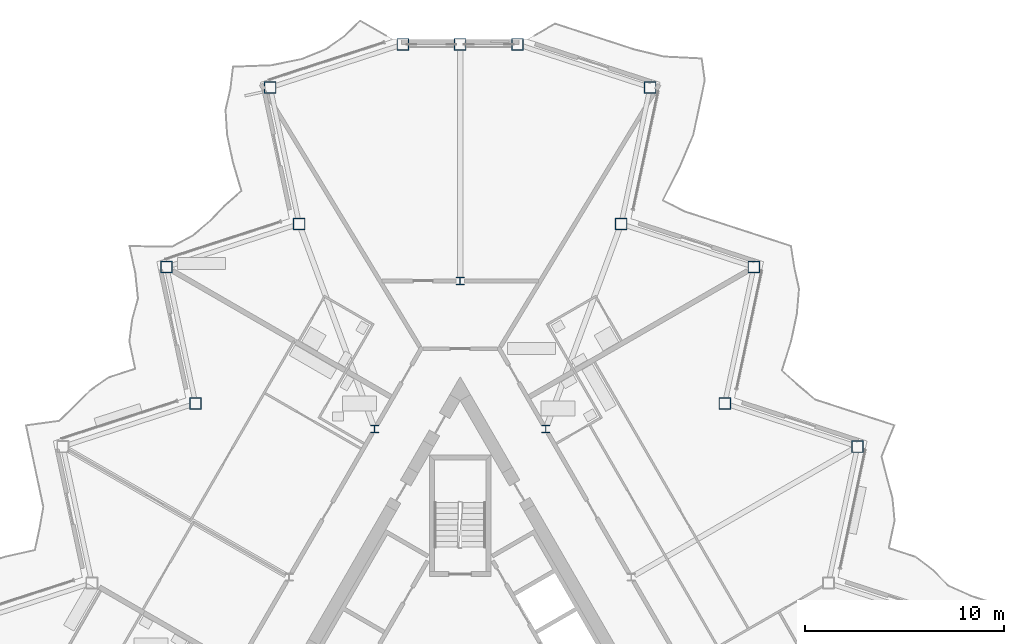
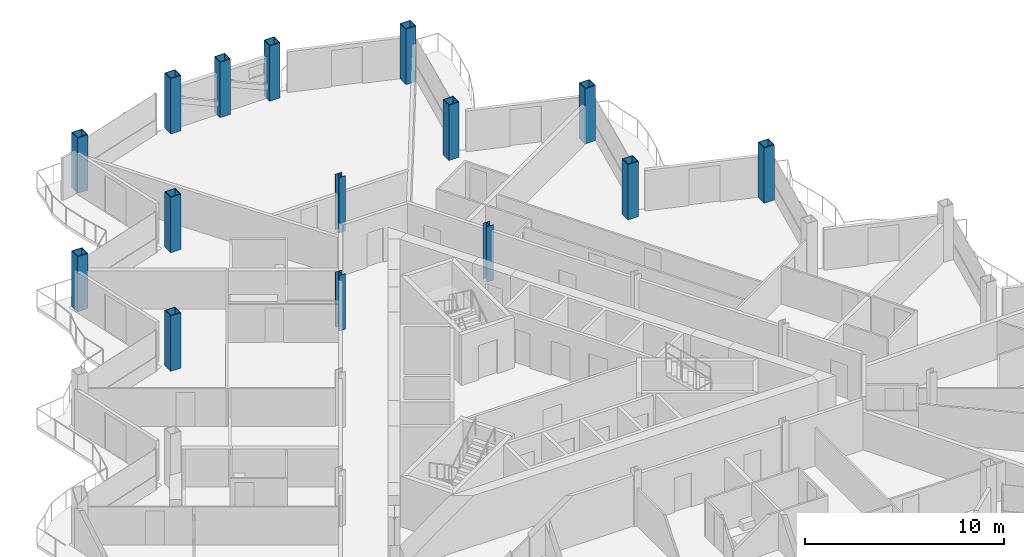
# One storey, part 3 of 27: 15 columns.
"""IFC4 building model written with IfcOpenShell, lengths in metres."""

from ifc_helpers import new_model, si_unit, direction, frame, origin, origin_2d, place, context, subcontext, project, spatial, hollow_rectangle, i_section, extrude, material, material_profile, profile_set, type_object, element, save


model = new_model("IFC4")

# Units and contexts
model_context = context("Model", 3, precision=1e-05, world=origin(), true_north=direction((0.0, 1.0)))
body_context = subcontext(model_context, "Body", "Model", "MODEL_VIEW")
ifc_project = project(units=[si_unit("LENGTHUNIT", "METRE"), si_unit("AREAUNIT", "SQUARE_METRE"), si_unit("VOLUMEUNIT", "CUBIC_METRE"), si_unit("PLANEANGLEUNIT", "RADIAN"), si_unit("MASSUNIT", "GRAM", prefix="KILO")], contexts=[model_context])

# Site, building, storey
site_placement = place(None, origin())
site = spatial("IfcSite", under=ifc_project, at=site_placement, CompositionType="ELEMENT")
building_placement = place(site_placement, origin())
building = spatial("IfcBuilding", under=site, at=building_placement, Name="Cormorant Prow Tower", CompositionType="ELEMENT")
storey_placement = place(building_placement, frame((0.0, 0.0, 315.39990234375)))
storey = spatial("IfcBuildingStorey", under=building, at=storey_placement, Name="L69", CompositionType="ELEMENT", Elevation=315.39990234375)

# Columns
ifc_material_1 = material(Name="Structural steel ASTM A572 Gr 50", Category="steel")
ifc_material_profile_1 = material_profile(ifc_material_1, hollow_rectangle(XDim=0.60009765625, YDim=0.60009765625, WallThickness=0.0400390625, at=origin_2d()), Name="Box 600x600x40")
ifc_profile_set_1 = profile_set([ifc_material_profile_1], Name="Structural steel ASTM A572 Gr 50")
column_type_1 = type_object("IfcColumnType", Name="Perimeter box column 600x600x40", PredefinedType="COLUMN", material=ifc_profile_set_1)
for number, where, z_axis, x_axis, name in (
    (1, (19.925537109375, 11.504150390625, 0.0), (0.0, 0.0, 1.0), (1.0, 0.0, 0.0), "Perimeter column C6 at ENE05 L69"),
    (2, (13.27197265625, 13.666015625, 0.0), (0.0, 0.0, 1.0), (1.0, 0.0, 0.0), "Perimeter column C6 at ENE06 L69"),
    (3, (14.7265625, 20.509033203125, 0.0), (0.0, 0.0, 1.0), (1.0, 0.0, 0.0), "Perimeter column C6 at ENE07 L69"),
    (4, (8.072998046875, 22.6708984375, 0.0), (0.0, 0.0, 1.0), (1.0, 0.0, 0.0), "Perimeter column C6 at ENE08 L69"),
    (5, (9.52734375, 29.51416015625, 0.0), (0.0, 0.0, 1.0), (1.0, 0.0, 0.0), "Perimeter column C6 at ENE09 L69"),
    (6, (2.873779296875, 31.676025390625, 0.0), (0.0, 0.0, 1.0), (1.0, 0.0, 0.0), "Perimeter column C6 at N00 L69"),
    (7, (0.0, 31.676025390625, 0.0), (0.0, 0.0, 1.0), (1.0, 0.0, 0.0), "Perimeter column C6 at N01 L69"),
    (8, (-2.873779296875, 31.676025390625, 0.0), (0.0, 0.0, 1.0), (1.0, 0.0, 0.0), "Perimeter column C6 at WNW00 L69"),
    (9, (-9.52734375, 29.51416015625, 0.0), (0.0, 0.0, 1.0), (1.0, 0.0, 0.0), "Perimeter column C6 at WNW01 L69"),
    (10, (-8.072998046875, 22.6708984375, 0.0), (0.0, 0.0, 1.0), (1.0, 0.0, 0.0), "Perimeter column C6 at WNW02 L69"),
    (11, (-14.7265625, 20.509033203125, 0.0), (0.0, 0.0, 1.0), (1.0, 0.0, 0.0), "Perimeter column C6 at WNW03 L69"),
    (12, (-13.27197265625, 13.666015625, 0.0), (0.0, 0.0, 1.0), (1.0, 0.0, 0.0), "Perimeter column C6 at WNW04 L69"),
):
    element("IfcColumn", number, at=place(storey_placement, frame(where, z_axis=z_axis, x_axis=x_axis)), inside=storey, type_object=column_type_1, Name=name, PredefinedType="COLUMN", context=body_context, shape_type="SweptSolid", body=[
        extrude(hollow_rectangle(XDim=0.60009765625, YDim=0.60009765625, WallThickness=0.0400390625, at=origin_2d()), origin(), (0.0, 0.0, 1.0), 3.400146484375),
    ])
ifc_material_2 = material(Name="Structural steel ASTM A992 Gr 50", Category="steel")
ifc_material_profile_2 = material_profile(ifc_material_2, i_section(OverallWidth=0.3955078125, OverallDepth=0.380615234375, WebThickness=0.018798828125, FlangeThickness=0.0302734375, at=origin_2d()), Name="W14x159")
ifc_profile_set_2 = profile_set([ifc_material_profile_2], Name="Structural steel ASTM A992 Gr 50")
column_type_2 = type_object("IfcColumnType", Name="Ring column W14x159", PredefinedType="COLUMN", material=ifc_profile_set_2)
for number, where, z_axis, x_axis, name in (
    (13, (0.0, 19.81103515625, 0.0), (0.0, 0.0, 1.0), (1.0, 0.0, 0.0), "Ring column 1 L69"),
    (14, (-4.289306640625, 12.3818359375, 0.0), (0.0, 0.0, 1.0), (1.0, 0.0, 0.0), "Ring column 2 L69"),
    (15, (4.289306640625, 12.3818359375, 0.0), (0.0, 0.0, 1.0), (1.0, 0.0, 0.0), "Ring column 12 L69"),
):
    element("IfcColumn", number, at=place(storey_placement, frame(where, z_axis=z_axis, x_axis=x_axis)), inside=storey, type_object=column_type_2, Name=name, PredefinedType="COLUMN", context=body_context, shape_type="SweptSolid", body=[
        extrude(i_section(OverallWidth=0.3955078125, OverallDepth=0.380615234375, WebThickness=0.018798828125, FlangeThickness=0.0302734375, at=origin_2d()), origin(), (0.0, 0.0, 1.0), 3.400146484375),
    ])

save(model, "model.ifc")
